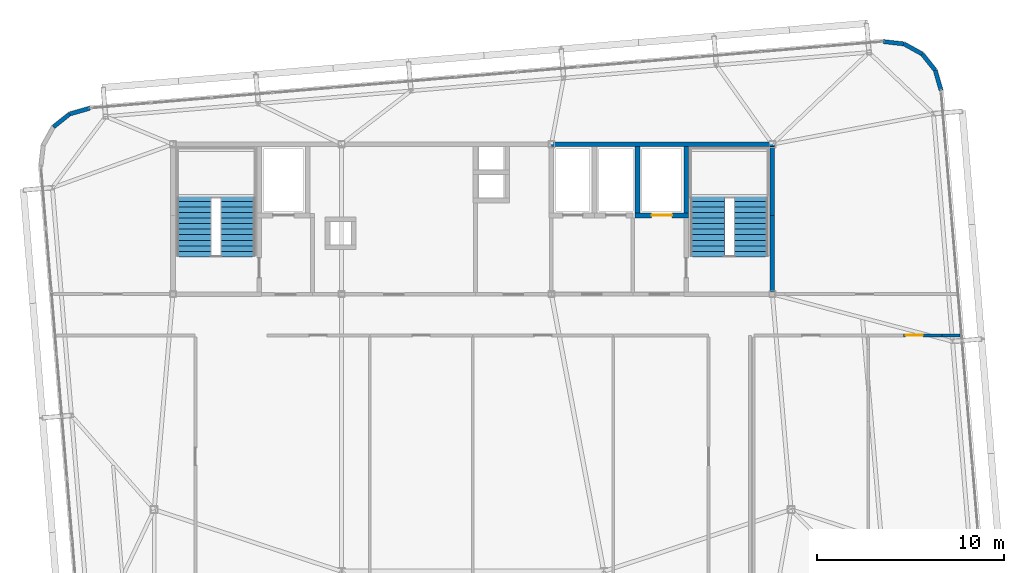
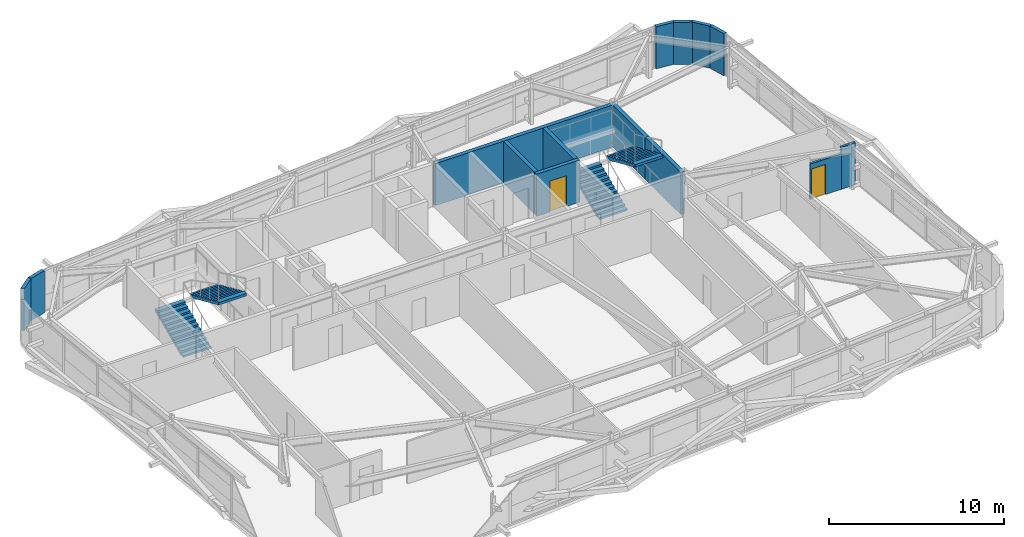
# One storey, part 44 of 46: 14 walls, 4 stair flights, 2 doors, 2 openings, 2 elements without a shape of their own.
"""IFC4 building model written with IfcOpenShell, lengths in metres."""

from ifc_helpers import new_model, si_unit, direction, frame, frame_2d, origin, place, context, subcontext, project, spatial, polyline, rectangle, outline, extrude, source, transform, mapped, material, layer, layer_set, type_object, element, fill, aggregate, save


model = new_model("IFC4")

# Units and contexts
model_context = context("Model", 3, precision=1e-05, world=origin(), true_north=direction((0.0, 1.0)))
body_context = subcontext(model_context, "Body", "Model", "MODEL_VIEW")
ifc_project = project(units=[si_unit("LENGTHUNIT", "METRE"), si_unit("AREAUNIT", "SQUARE_METRE"), si_unit("VOLUMEUNIT", "CUBIC_METRE"), si_unit("PLANEANGLEUNIT", "RADIAN"), si_unit("MASSUNIT", "GRAM", prefix="KILO")], contexts=[model_context])

# Site, building, storey
site_placement = place(None, origin())
site = spatial("IfcSite", under=ifc_project, at=site_placement, CompositionType="ELEMENT")
building_placement = place(site_placement, origin())
building = spatial("IfcBuilding", under=site, at=building_placement, Name="Taldren Reach Tower", CompositionType="ELEMENT")
storey_placement = place(building_placement, frame((0.0, 0.0, 185.14990234375)))
storey = spatial("IfcBuildingStorey", under=building, at=storey_placement, Name="L56", CompositionType="ELEMENT", Elevation=185.14990234375)

# Walls
ifc_material_1 = material(Name="Pale Champagne Anodised Aluminium Cladding", Category="aluminium")
ifc_layer_1 = layer(ifc_material_1, 0.04, Name="Pale Champagne Anodised Aluminium Cladding", Category="aluminium")
ifc_material_2 = material(Name="Mineral Wool Acoustic Insulation", Category="insulation")
ifc_layer_2 = layer(ifc_material_2, 0.06, Name="Mineral Wool Acoustic Insulation", Category="insulation")
ifc_material_3 = material(Name="Steel Gr 350 (C350L0)", Category="steel")
ifc_layer_3 = layer(ifc_material_3, 0.12, Name="Steel Gr 350 (C350L0)", Category="steel")
ifc_layer_set_1 = layer_set([ifc_layer_1, ifc_layer_2, ifc_layer_3], Name="Pale Champagne Aluminium Cladding and Steel Gr 350 Stud Framing")
wall_type_1 = type_object("IfcWallType", Name="EW-CRN-220", PredefinedType="SOLIDWALL", material=ifc_layer_set_1)
shared_shape_1 = source(origin(), body_context, "Body", "SweptSolid", [
    extrude(rectangle(XDim=1.115966796875, YDim=0.219970703125, at=frame_2d((0.55810546875, 0.0))), origin(), (0.0, 0.0, 1.0), 2.93017578125),
])
for number, where, z_axis, x_axis, name in (
    (1, (60.004150390625, 34.870361328125, 0.0), (0.0, 0.0, 1.0), (-0.276512002475, 0.961010464297, 0.0), "Rounded-corner pale-metal facade wall L56-NE1"),
    (2, (59.695556640625, 35.94287109375, 0.0), (0.0, 0.0, 1.0), (-0.623092886403, 0.782147847222, 0.0), "Rounded-corner pale-metal facade wall L56-NE2"),
    (3, (59.000244140625, 36.815673828125, 0.0), (0.0, 0.0, 1.0), (-0.875105012065, 0.483933071672, 0.0), "Rounded-corner pale-metal facade wall L56-NE3"),
    (4, (58.023681640625, 37.355712890625, 0.0), (0.0, 0.0, 1.0), (-0.993657581277, 0.112448259968, 0.0), "Rounded-corner pale-metal facade wall L56-NE4"),
    (5, (14.56396484375, 33.9248046875, 0.0), (0.0, 0.0, 1.0), (-0.961010464297, -0.276512002475, 0.0), "Rounded-corner pale-metal facade wall L56-NW1"),
):
    element("IfcWall", number, at=place(storey_placement, frame(where, z_axis=z_axis, x_axis=x_axis)), inside=storey, type_object=wall_type_1, Name=name, PredefinedType="SOLIDWALL", context=body_context, shape_type="MappedRepresentation", body=[
        mapped(shared_shape_1, transform((0.0, 0.0, 0.0), scale=1.0)),
    ])
shared_shape_2 = source(origin(), body_context, "Body", "SweptSolid", [
    extrude(rectangle(XDim=1.11572265625, YDim=0.219970703125, at=frame_2d((0.557861328125, 0.0))), origin(), (0.0, 0.0, 1.0), 2.93017578125),
])
wall_1_placement = place(storey_placement, frame((13.491455078125, 33.6162109375, 0.0), z_axis=(0.0, 0.0, 1.0), x_axis=(-0.782062884215, -0.623199522732, 0.0)))
element("IfcWall", 6, at=wall_1_placement, inside=storey, type_object=wall_type_1, Name="Rounded-corner pale-metal facade wall L56-NW2", PredefinedType="SOLIDWALL", context=body_context, shape_type="MappedRepresentation", body=[
    mapped(shared_shape_2, transform((0.0, 0.0, 0.0), scale=1.0)),
])
ifc_material_4 = material(Name="Concrete S65 (65 MPa)", Category="concrete")
ifc_layer_4 = layer(ifc_material_4, 0.25)
ifc_layer_set_2 = layer_set([ifc_layer_4], Name="Concrete S65 (65 MPa)")
wall_type_2 = type_object("IfcWallType", Name="IW-CORE-250", PredefinedType="SHEAR", material=ifc_layer_set_2)
shared_shape_3 = source(origin(), body_context, "Body", "SweptSolid", [
    extrude(rectangle(XDim=11.925048828125, YDim=0.25, at=frame_2d((5.96240234375, 0.0))), origin(), (0.0, 0.0, 1.0), 2.93017578125),
])
wall_2_placement = place(storey_placement, frame((39.199951171875, 32.0, 0.0), z_axis=(0.0, 0.0, 1.0), x_axis=(1.0, 0.0, 0.0)))
element("IfcWall", 7, at=wall_2_placement, inside=storey, type_object=wall_type_2, Name="Rear Core Shear Wall W-CORE-L56-NORTH3", PredefinedType="SHEAR", context=body_context, shape_type="MappedRepresentation", body=[
    mapped(shared_shape_3, transform((0.0, 0.0, 0.0), scale=1.0)),
])
shared_shape_4 = source(origin(), body_context, "Body", "SweptSolid", [
    extrude(rectangle(XDim=4.074951171875, YDim=0.25, at=frame_2d((2.03759765625, 0.0))), origin(), (0.0, 0.0, 1.0), 2.93017578125),
])
wall_3_placement = place(storey_placement, frame((51.0, 24.125, 0.0), z_axis=(0.0, 0.0, 1.0), x_axis=(0.0, 1.0, 0.0)))
element("IfcWall", 8, at=wall_3_placement, inside=storey, type_object=wall_type_2, Name="Rear Core Shear Wall W-CORE-L56-EAST1", PredefinedType="SHEAR", context=body_context, shape_type="MappedRepresentation", body=[
    mapped(shared_shape_4, transform((0.0, 0.0, 0.0), scale=1.0)),
])
shared_shape_5 = source(origin(), body_context, "Body", "SweptSolid", [
    extrude(rectangle(XDim=3.675048828125, YDim=0.25, at=frame_2d((1.83740234375, 0.0))), origin(), (0.0, 0.0, 1.0), 2.93017578125),
])
wall_4_placement = place(storey_placement, frame((51.0, 28.199951171875, 0.0), z_axis=(0.0, 0.0, 1.0), x_axis=(0.0, 1.0, 0.0)))
element("IfcWall", 9, at=wall_4_placement, inside=storey, type_object=wall_type_2, Name="Rear Core Shear Wall W-CORE-L56-EAST2", PredefinedType="SHEAR", context=body_context, shape_type="MappedRepresentation", body=[
    mapped(shared_shape_5, transform((0.0, 0.0, 0.0), scale=1.0)),
])
shared_shape_6 = source(origin(), body_context, "Body", "SweptSolid", [
    extrude(rectangle(XDim=3.550048828125, YDim=0.25, at=frame_2d((1.77490234375, 0.0))), origin(), (0.0, 0.0, 1.0), 2.93017578125),
])
for number, where, z_axis, x_axis, name in (
    (10, (46.39990234375, 31.875, 0.0), (0.0, 0.0, 1.0), (0.0, -1.0, 0.0), "Rear Core Shear Wall W-INT-L56-008"),
    (11, (43.800048828125, 31.875, 0.0), (0.0, 0.0, 1.0), (0.0, -1.0, 0.0), "Rear Core Shear Wall W-INT-L56-012"),
):
    element("IfcWall", number, at=place(storey_placement, frame(where, z_axis=z_axis, x_axis=x_axis)), inside=storey, type_object=wall_type_2, Name=name, PredefinedType="SHEAR", context=body_context, shape_type="MappedRepresentation", body=[
        mapped(shared_shape_6, transform((0.0, 0.0, 0.0), scale=1.0)),
    ])

# Wall, opening, door
shared_shape_7 = source(origin(), body_context, "Body", "SweptSolid", [
    extrude(rectangle(XDim=2.849853515625, YDim=0.25, at=frame_2d((1.4248046875, 0.0))), origin(), (0.0, 0.0, 1.0), 2.93017578125),
])
wall_5_placement = place(storey_placement, frame((43.675048828125, 28.199951171875, 0.0), z_axis=(0.0, 0.0, 1.0), x_axis=(1.0, 0.0, 0.0)))
wall_5 = element("IfcWall", 12, at=wall_5_placement, inside=storey, type_object=wall_type_2, Name="Rear Core Shear Wall W-INT-L56-011", PredefinedType="SHEAR", context=body_context, shape_type="MappedRepresentation", body=[
    mapped(shared_shape_7, transform((0.0, 0.0, 0.0), scale=1.0)),
])
shared_shape_8 = source(origin(), body_context, "Body", "SweptSolid", [
    extrude(rectangle(XDim=1.10009765625, YDim=2.14990234375, at=frame_2d((0.550048828125, 1.074951171875))), frame((0.0, 0.135009765625, 0.0), z_axis=(0.0, -1.0, 0.0), x_axis=(1.0, 0.0, 0.0)), (0.0, 0.0, 1.0), 0.27001953125),
])
opening_1_placement = place(wall_5_placement, frame((0.875, 0.0, 0.0)))
opening_1 = element("IfcOpeningElement", 13, at=opening_1_placement, cuts=wall_5, Name="Opening LD-FL2", PredefinedType="OPENING", context=body_context, shape_type="MappedRepresentation", body=[
    mapped(shared_shape_8, transform((0.0, 0.0, 0.0), scale=1.0)),
])
ifc_material_5 = material(Name="Stainless Steel Gr 316 Emergency Lift Landing Door", Category="steel")
door_type_1 = type_object("IfcDoorType", Name="LD-EMG-110", OperationType="SLIDING_TO_LEFT", PredefinedType="DOOR", material=ifc_material_5)
shared_shape_9 = source(origin(), body_context, "Body", "SweptSolid", [
    extrude(rectangle(XDim=1.10009765625, YDim=2.14990234375, at=frame_2d((0.550048828125, 1.074951171875))), frame((0.0, 0.02490234375, 0.0), z_axis=(0.0, -1.0, 0.0), x_axis=(1.0, 0.0, 0.0)), (0.0, 0.0, 1.0), 0.050048828125),
])
door_1_placement = place(opening_1_placement, origin())
door_1 = element("IfcDoor", 14, at=door_1_placement, inside=storey, type_object=door_type_1, Name="Lift Landing Door LD-FL2-L56", OperationType="SLIDING_TO_LEFT", OverallHeight=2.14990234375, OverallWidth=1.10009765625, PredefinedType="DOOR", context=body_context, shape_type="MappedRepresentation", body=[
    mapped(shared_shape_9, transform((0.0, 0.0, 0.0), scale=1.0)),
])
fill(opening_1, door_1)

# Wall
ifc_material_6 = material(Name="Fire-Rated Acoustic Plasterboard Stud Wall", Category="gypsum")
ifc_layer_5 = layer(ifc_material_6, 0.159912109375)
ifc_layer_set_3 = layer_set([ifc_layer_5], Name="Fire-Rated Acoustic Plasterboard Stud Wall")
wall_type_3 = type_object("IfcWallType", Name="IW-FIRE-160", PredefinedType="PARTITIONING", material=ifc_layer_set_3)
shared_shape_10 = source(origin(), body_context, "Body", "SweptSolid", [
    extrude(rectangle(XDim=0.9453125, YDim=0.159912109375, at=frame_2d((0.47265625, 0.0))), origin(), (0.0, 0.0, 1.0), 2.93017578125),
])
wall_6_placement = place(storey_placement, frame((61.004638671875, 21.800048828125, 0.0), z_axis=(0.0, 0.0, 1.0), x_axis=(-1.0, 0.0, 0.0)))
element("IfcWall", 15, at=wall_6_placement, inside=storey, type_object=wall_type_3, Name="Interior Partition Wall W-INT-L56-047", PredefinedType="PARTITIONING", context=body_context, shape_type="MappedRepresentation", body=[
    mapped(shared_shape_10, transform((0.0, 0.0, 0.0), scale=1.0)),
])

# Wall, opening, door
shared_shape_11 = source(origin(), body_context, "Body", "SweptSolid", [
    extrude(rectangle(XDim=2.048095703125, YDim=0.159912109375, at=frame_2d((1.02392578125, 0.0))), origin(), (0.0, 0.0, 1.0), 2.47021484375),
])
wall_7_placement = place(storey_placement, frame((60.059326171875, 21.800048828125, 0.0), z_axis=(0.0, 0.0, 1.0), x_axis=(-1.0, 0.0, 0.0)))
wall_7 = element("IfcWall", 16, at=wall_7_placement, inside=storey, type_object=wall_type_3, Name="Interior Partition Wall W-INT-L56-047 part 2", PredefinedType="PARTITIONING", context=body_context, shape_type="MappedRepresentation", body=[
    mapped(shared_shape_11, transform((0.0, 0.0, 0.0), scale=1.0)),
])
shared_shape_12 = source(origin(), body_context, "Body", "SweptSolid", [
    extrude(rectangle(XDim=0.919921875, YDim=2.10009765625, at=frame_2d((0.4599609375, 1.050048828125))), frame((0.0, 0.08984375, 0.0), z_axis=(0.0, -1.0, 0.0), x_axis=(1.0, 0.0, 0.0)), (0.0, 0.0, 1.0), 0.179931640625),
])
opening_2_placement = place(wall_7_placement, frame((1.0283203125, 0.0, 0.0)))
opening_2 = element("IfcOpeningElement", 17, at=opening_2_placement, cuts=wall_7, Name="Opening DI-092", PredefinedType="OPENING", context=body_context, shape_type="MappedRepresentation", body=[
    mapped(shared_shape_12, transform((0.0, 0.0, 0.0), scale=1.0)),
])
ifc_material_7 = material(Name="Solid-Core Timber Suite Door", Category="wood")
door_type_2 = type_object("IfcDoorType", Name="ID-INT-092", OperationType="NOTDEFINED", PredefinedType="DOOR", material=ifc_material_7)
shared_shape_13 = source(origin(), body_context, "Body", "SweptSolid", [
    extrude(rectangle(XDim=0.919921875, YDim=2.10009765625, at=frame_2d((0.4599609375, 1.050048828125))), frame((0.0, 0.02490234375, 0.0), z_axis=(0.0, -1.0, 0.0), x_axis=(1.0, 0.0, 0.0)), (0.0, 0.0, 1.0), 0.050048828125),
])
door_2_placement = place(opening_2_placement, origin())
door_2 = element("IfcDoor", 18, at=door_2_placement, inside=storey, type_object=door_type_2, Name="Interior Door DR-L56-017", OperationType="SINGLE_SWING_RIGHT", OverallHeight=2.10009765625, OverallWidth=0.919921875, PredefinedType="DOOR", context=body_context, shape_type="MappedRepresentation", body=[
    mapped(shared_shape_13, transform((0.0, 0.0, 0.0), scale=1.0)),
])
fill(opening_2, door_2)

# Stair, stair flights
ifc_material_8 = material(Name="Concrete S50 (50 MPa)", Category="concrete")
stair_type = type_object("IfcStairType", Name="ST-HT-315", PredefinedType="HALF_TURN_STAIR", material=ifc_material_8)
stair_1_placement = place(storey_placement, origin())
stair_1 = element("IfcStair", 19, at=stair_1_placement, inside=storey, type_object=stair_type, Name="Fire-isolated exit stair ST1 L56", PredefinedType="HALF_TURN_STAIR")
stair_flight_type = type_object("IfcStairFlightType", Name="SF-STR-315", PredefinedType="STRAIGHT", material=ifc_material_8)
stair_flight_1_placement = place(storey_placement, frame((20.139892578125, 25.989990234375, 0.0), z_axis=(0.0, 0.0, 1.0), x_axis=(0.0, 1.0, 0.0)))
stair_flight_1 = element("IfcStairFlight", 20, at=stair_flight_1_placement, type_object=stair_flight_type, Name="ST1 flight 1", NumberOfRisers=12, NumberOfTreads=11, PredefinedType="STRAIGHT", RiserHeight=0.13125, TreadLength=0.295, context=body_context, shape_type="SweptSolid", body=[
    extrude(outline(polyline([(0.0, 0.0), (0.0, 0.13134765625), (0.294921875, 0.13134765625), (0.294921875, 0.262451171875), (0.590087890625, 0.262451171875), (0.590087890625, 0.393798828125), (0.885009765625, 0.393798828125), (0.885009765625, 0.52490234375), (1.179931640625, 0.52490234375), (1.179931640625, 0.65625), (1.47509765625, 0.65625), (1.47509765625, 0.78759765625), (1.77001953125, 0.78759765625), (1.77001953125, 0.918701171875), (2.06494140625, 0.918701171875), (2.06494140625, 1.050048828125), (2.360107421875, 1.050048828125), (2.360107421875, 1.18115234375), (2.655029296875, 1.18115234375), (2.655029296875, 1.3125), (2.949951171875, 1.3125), (2.949951171875, 1.44384765625), (3.2451171875, 1.44384765625), (3.2451171875, 1.574951171875), (3.2451171875, 1.268798828125), (0.393310546875, 0.0), (0.0, 0.0)])), frame((0.0, 0.919921875, 0.0), z_axis=(0.0, -1.0, 0.0), x_axis=(1.0, 0.0, 0.0)), (0.0, 0.0, 1.0), 1.840087890625),
])
stair_flight_2_placement = place(storey_placement, frame((22.4599609375, 29.235107421875, 1.5751953125), z_axis=(0.0, 0.0, 1.0), x_axis=(0.0, -1.0, 0.0)))
stair_flight_2 = element("IfcStairFlight", 21, at=stair_flight_2_placement, type_object=stair_flight_type, Name="ST1 flight 2", NumberOfRisers=12, NumberOfTreads=11, PredefinedType="STRAIGHT", RiserHeight=0.13125, TreadLength=0.295, context=body_context, shape_type="SweptSolid", body=[
    extrude(outline(polyline([(0.0, 0.0), (0.0, 0.13134765625), (0.294921875, 0.13134765625), (0.294921875, 0.262451171875), (0.590087890625, 0.262451171875), (0.590087890625, 0.393798828125), (0.885009765625, 0.393798828125), (0.885009765625, 0.52490234375), (1.179931640625, 0.52490234375), (1.179931640625, 0.65625), (1.47509765625, 0.65625), (1.47509765625, 0.78759765625), (1.77001953125, 0.78759765625), (1.77001953125, 0.918701171875), (2.06494140625, 0.918701171875), (2.06494140625, 1.050048828125), (2.360107421875, 1.050048828125), (2.360107421875, 1.18115234375), (2.655029296875, 1.18115234375), (2.655029296875, 1.3125), (2.949951171875, 1.3125), (2.949951171875, 1.44384765625), (3.2451171875, 1.44384765625), (3.2451171875, 1.574951171875), (3.2451171875, 1.268798828125), (0.393310546875, 0.0), (0.0, 0.0)])), frame((0.0, 0.919921875, 0.0), z_axis=(0.0, -1.0, 0.0), x_axis=(1.0, 0.0, 0.0)), (0.0, 0.0, 1.0), 1.840087890625),
])
aggregate(stair_1, [stair_flight_1, stair_flight_2])

stair_2_placement = place(storey_placement, origin())
stair_2 = element("IfcStair", 22, at=stair_2_placement, inside=storey, type_object=stair_type, Name="Fire-isolated exit stair ST2 L56", PredefinedType="HALF_TURN_STAIR")
stair_flight_3_placement = place(storey_placement, frame((47.5400390625, 25.989990234375, 0.0), z_axis=(0.0, 0.0, 1.0), x_axis=(0.0, 1.0, 0.0)))
stair_flight_3 = element("IfcStairFlight", 23, at=stair_flight_3_placement, type_object=stair_flight_type, Name="ST2 flight 1", NumberOfRisers=12, NumberOfTreads=11, PredefinedType="STRAIGHT", RiserHeight=0.13125, TreadLength=0.295, context=body_context, shape_type="SweptSolid", body=[
    extrude(outline(polyline([(0.0, 0.0), (0.0, 0.13134765625), (0.294921875, 0.13134765625), (0.294921875, 0.262451171875), (0.590087890625, 0.262451171875), (0.590087890625, 0.393798828125), (0.885009765625, 0.393798828125), (0.885009765625, 0.52490234375), (1.179931640625, 0.52490234375), (1.179931640625, 0.65625), (1.47509765625, 0.65625), (1.47509765625, 0.78759765625), (1.77001953125, 0.78759765625), (1.77001953125, 0.918701171875), (2.06494140625, 0.918701171875), (2.06494140625, 1.050048828125), (2.360107421875, 1.050048828125), (2.360107421875, 1.18115234375), (2.655029296875, 1.18115234375), (2.655029296875, 1.3125), (2.949951171875, 1.3125), (2.949951171875, 1.44384765625), (3.2451171875, 1.44384765625), (3.2451171875, 1.574951171875), (3.2451171875, 1.268798828125), (0.393310546875, 0.0), (0.0, 0.0)])), frame((0.0, 0.919921875, 0.0), z_axis=(0.0, -1.0, 0.0), x_axis=(1.0, 0.0, 0.0)), (0.0, 0.0, 1.0), 1.840087890625),
])
stair_flight_4_placement = place(storey_placement, frame((49.860107421875, 29.235107421875, 1.5751953125), z_axis=(0.0, 0.0, 1.0), x_axis=(0.0, -1.0, 0.0)))
stair_flight_4 = element("IfcStairFlight", 24, at=stair_flight_4_placement, type_object=stair_flight_type, Name="ST2 flight 2", NumberOfRisers=12, NumberOfTreads=11, PredefinedType="STRAIGHT", RiserHeight=0.13125, TreadLength=0.295, context=body_context, shape_type="SweptSolid", body=[
    extrude(outline(polyline([(0.0, 0.0), (0.0, 0.13134765625), (0.294921875, 0.13134765625), (0.294921875, 0.262451171875), (0.590087890625, 0.262451171875), (0.590087890625, 0.393798828125), (0.885009765625, 0.393798828125), (0.885009765625, 0.52490234375), (1.179931640625, 0.52490234375), (1.179931640625, 0.65625), (1.47509765625, 0.65625), (1.47509765625, 0.78759765625), (1.77001953125, 0.78759765625), (1.77001953125, 0.918701171875), (2.06494140625, 0.918701171875), (2.06494140625, 1.050048828125), (2.360107421875, 1.050048828125), (2.360107421875, 1.18115234375), (2.655029296875, 1.18115234375), (2.655029296875, 1.3125), (2.949951171875, 1.3125), (2.949951171875, 1.44384765625), (3.2451171875, 1.44384765625), (3.2451171875, 1.574951171875), (3.2451171875, 1.268798828125), (0.393310546875, 0.0), (0.0, 0.0)])), frame((0.0, 0.919921875, 0.0), z_axis=(0.0, -1.0, 0.0), x_axis=(1.0, 0.0, 0.0)), (0.0, 0.0, 1.0), 1.840087890625),
])
aggregate(stair_2, [stair_flight_3, stair_flight_4])

save(model, "model.ifc")
